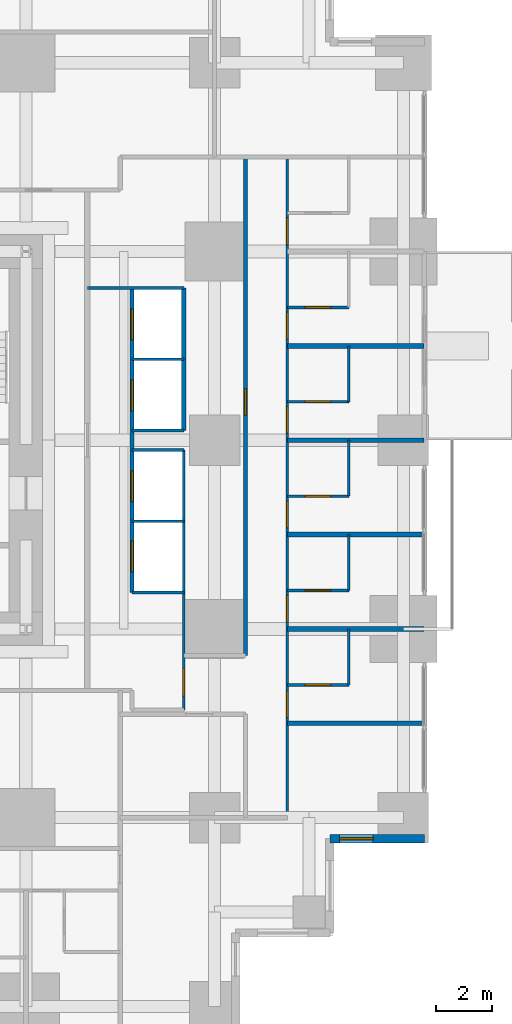
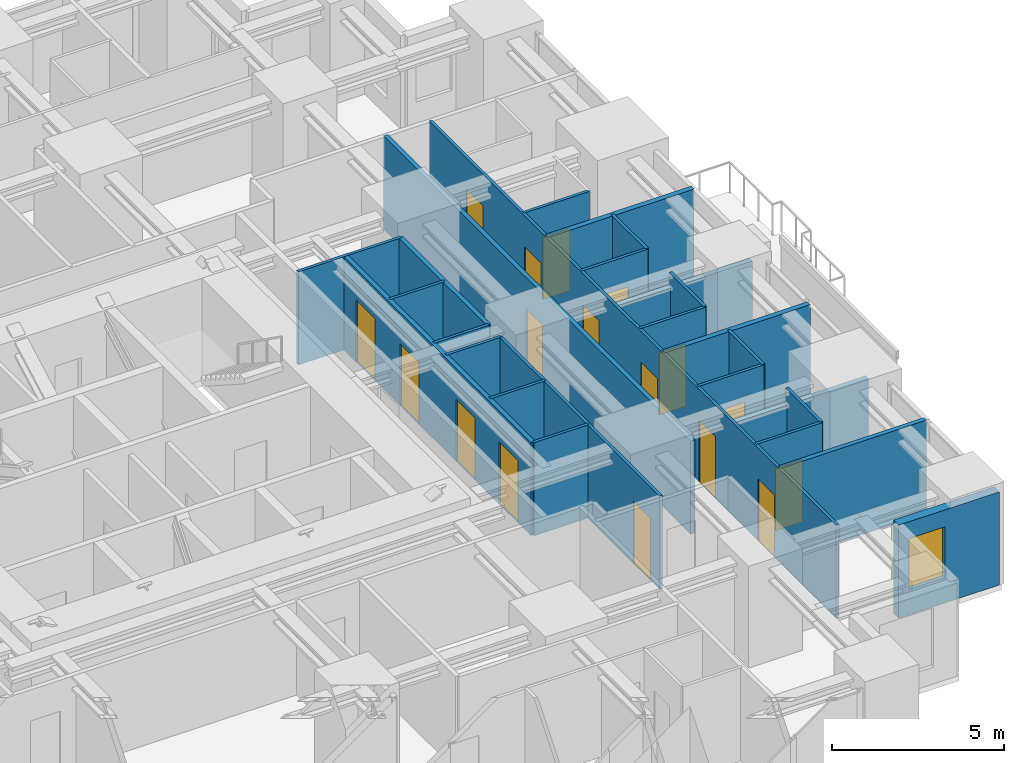
# One storey, part 11 of 15: 26 walls, 17 doors, 1 window, 18 openings.
"""IFC4 building model written with IfcOpenShell, lengths in metres."""

from ifc_helpers import new_model, si_unit, direction, frame, frame_2d, origin, place, context, subcontext, project, spatial, rectangle, extrude, material, layer, layer_set, type_object, element, fill, save


model = new_model("IFC4")

# Units and contexts
model_context = context("Model", 3, precision=1e-05, world=origin(), true_north=direction((0.0, 1.0)))
body_context = subcontext(model_context, "Body", "Model", "MODEL_VIEW")
ifc_project = project(units=[si_unit("LENGTHUNIT", "METRE"), si_unit("AREAUNIT", "SQUARE_METRE"), si_unit("VOLUMEUNIT", "CUBIC_METRE"), si_unit("PLANEANGLEUNIT", "RADIAN"), si_unit("MASSUNIT", "GRAM", prefix="KILO")], contexts=[model_context])

# Site, building, storey
site_placement = place(None, origin())
site = spatial("IfcSite", under=ifc_project, at=site_placement, CompositionType="ELEMENT")
building_placement = place(site_placement, origin())
building = spatial("IfcBuilding", under=site, at=building_placement, Name="Nyansa Garden Tower", CompositionType="ELEMENT")
storey_placement = place(building_placement, frame((0.0, 0.0, 72.0)))
storey = spatial("IfcBuildingStorey", under=building, at=storey_placement, Name="L19", CompositionType="ELEMENT", Elevation=72.0)

# Walls
ifc_material_1 = material(Name="Dense blockwork, plastered both sides, 55 dB", Category="masonry")
ifc_layer_1 = layer(ifc_material_1, 0.175048828125)
ifc_layer_set_1 = layer_set([ifc_layer_1], Name="Acoustic party wall PW175")
wall_type_1 = type_object("IfcWallType", Name="Acoustic party wall PW175", PredefinedType="PARTITIONING", material=ifc_layer_set_1)
wall_1_placement = place(storey_placement, frame((36.35009765625, 13.5, 0.0), z_axis=(0.0, 0.0, 1.0), x_axis=(1.0, 0.0, 0.0)))
element("IfcWall", 1, at=wall_1_placement, inside=storey, type_object=wall_type_1, Name="Party wall", PredefinedType="PARTITIONING", context=body_context, shape_type="SweptSolid", body=[
    extrude(rectangle(XDim=4.8837890625, YDim=0.175048828125, at=frame_2d((2.44189453125, 0.0))), origin(), (0.0, 0.0, 1.0), 2.73095703125),
])
wall_2_placement = place(storey_placement, frame((36.35009765625, 16.875, 0.0), z_axis=(0.0, 0.0, 1.0), x_axis=(1.0, 0.0, 0.0)))
element("IfcWall", 2, at=wall_2_placement, inside=storey, type_object=wall_type_1, Name="Party wall", PredefinedType="PARTITIONING", context=body_context, shape_type="SweptSolid", body=[
    extrude(rectangle(XDim=4.8837890625, YDim=0.175048828125, at=frame_2d((2.44189453125, 0.0))), origin(), (0.0, 0.0, 1.0), 3.300048828125),
])
wall_3_placement = place(storey_placement, frame((36.35009765625, 20.25, 0.0), z_axis=(0.0, 0.0, 1.0), x_axis=(1.0, 0.0, 0.0)))
element("IfcWall", 3, at=wall_3_placement, inside=storey, type_object=wall_type_1, Name="Party wall", PredefinedType="PARTITIONING", context=body_context, shape_type="SweptSolid", body=[
    extrude(rectangle(XDim=4.8837890625, YDim=0.175048828125, at=frame_2d((2.44189453125, 0.0))), origin(), (0.0, 0.0, 1.0), 2.802001953125),
])
wall_4_placement = place(storey_placement, frame((36.35009765625, 23.625, 0.0), z_axis=(0.0, 0.0, 1.0), x_axis=(1.0, 0.0, 0.0)))
element("IfcWall", 4, at=wall_4_placement, inside=storey, type_object=wall_type_1, Name="Party wall", PredefinedType="PARTITIONING", context=body_context, shape_type="SweptSolid", body=[
    extrude(rectangle(XDim=4.8837890625, YDim=0.175048828125, at=frame_2d((2.44189453125, 0.0))), origin(), (0.0, 0.0, 1.0), 3.300048828125),
])
ifc_material_2 = material(Name="Steel-stud shaft wall, two layers fire-rated board, EI 120", Category="steel")
ifc_layer_2 = layer(ifc_material_2, 0.10009765625)
ifc_layer_set_2 = layer_set([ifc_layer_2], Name="Lift shaft wall SW100")
wall_type_2 = type_object("IfcWallType", Name="Lift shaft wall SW100", PredefinedType="SHEAR", material=ifc_layer_set_2)
wall_5_placement = place(storey_placement, frame((29.199951171875, 25.699951171875, 0.0), z_axis=(0.0, 0.0, 1.0), x_axis=(1.0, 0.0, 0.0)))
element("IfcWall", 5, at=wall_5_placement, inside=storey, type_object=wall_type_2, Name="Lift shaft wall", PredefinedType="SHEAR", context=body_context, shape_type="SweptSolid", body=[
    extrude(rectangle(XDim=3.449951171875, YDim=0.10009765625, at=frame_2d((1.72509765625, 0.0))), origin(), (0.0, 0.0, 1.0), 3.300048828125),
])
for number, where, z_axis, x_axis, name in (
    (6, (30.800048828125, 14.800048828125, 0.0), (0.0, 0.0, 1.0), (1.0, 0.0, 0.0), "Lift shaft wall"),
    (7, (30.800048828125, 17.35009765625, 0.0), (0.0, 0.0, 1.0), (1.0, 0.0, 0.0), "Lift shaft wall"),
    (8, (30.800048828125, 19.89990234375, 0.0), (0.0, 0.0, 1.0), (1.0, 0.0, 0.0), "Lift shaft wall"),
    (9, (30.800048828125, 20.60009765625, 0.0), (0.0, 0.0, 1.0), (1.0, 0.0, 0.0), "Lift shaft wall"),
    (10, (30.800048828125, 23.14990234375, 0.0), (0.0, 0.0, 1.0), (1.0, 0.0, 0.0), "Lift shaft wall"),
):
    element("IfcWall", number, at=place(storey_placement, frame(where, z_axis=z_axis, x_axis=x_axis)), inside=storey, type_object=wall_type_2, Name=name, PredefinedType="SHEAR", context=body_context, shape_type="SweptSolid", body=[
        extrude(rectangle(XDim=1.849853515625, YDim=0.10009765625, at=frame_2d((0.9248046875, 0.0))), origin(), (0.0, 0.0, 1.0), 3.300048828125),
    ])

# Wall, opening, door
wall_6_placement = place(storey_placement, frame((32.64990234375, 10.60009765625, 0.0), z_axis=(0.0, 0.0, 1.0), x_axis=(0.0, 1.0, 0.0)))
wall_6 = element("IfcWall", 11, at=wall_6_placement, inside=storey, type_object=wall_type_2, Name="Lift shaft wall", PredefinedType="SHEAR", context=body_context, shape_type="SweptSolid", body=[
    extrude(rectangle(XDim=9.2998046875, YDim=0.10009765625, at=frame_2d((4.64990234375, 0.0))), origin(), (0.0, 0.0, 1.0), 3.300048828125),
])
opening_1_placement = place(wall_6_placement, frame((0.5, 0.0, 0.0)))
opening_1 = element("IfcOpeningElement", 12, at=opening_1_placement, cuts=wall_6, Name="Opening D03", PredefinedType="OPENING", context=body_context, shape_type="SweptSolid", body=[
    extrude(rectangle(XDim=1.0, YDim=2.199951171875, at=frame_2d((0.5, 1.10009765625))), frame((0.0, 0.06005859375, 0.0), z_axis=(0.0, -1.0, 0.0), x_axis=(1.0, 0.0, 0.0)), (0.0, 0.0, 1.0), 0.1201171875),
])
ifc_material_3 = material(Name="Timber flush door, 60 minute fire resisting", Category="wood")
door_type_1 = type_object("IfcDoorType", Name="Cluster entrance door D03 1000x2200", OperationType="SINGLE_SWING_LEFT", PredefinedType="DOOR", material=ifc_material_3)
door_1_placement = place(opening_1_placement, origin())
door_1 = element("IfcDoor", 13, at=door_1_placement, inside=storey, type_object=door_type_1, Name="Door L19-046", OperationType="SINGLE_SWING_LEFT", OverallHeight=2.199951171875, OverallWidth=1.0, PredefinedType="DOOR", context=body_context, shape_type="SweptSolid", body=[
    extrude(rectangle(XDim=1.0, YDim=2.199951171875, at=frame_2d((0.5, 1.10009765625))), frame((0.0, 0.02490234375, 0.0), z_axis=(0.0, -1.0, 0.0), x_axis=(1.0, 0.0, 0.0)), (0.0, 0.0, 1.0), 0.050048828125),
])
fill(opening_1, door_1)

# Wall, openings, doors
ifc_material_4 = material(Name="Blockwork, plastered both sides", Category="masonry")
ifc_layer_3 = layer(ifc_material_4, 0.14990234375)
ifc_layer_set_3 = layer_set([ifc_layer_3], Name="Partition PW150")
wall_type_3 = type_object("IfcWallType", Name="Partition PW150", PredefinedType="PARTITIONING", material=ifc_layer_set_3)
wall_7_placement = place(storey_placement, frame((30.800048828125, 14.800048828125, 0.0), z_axis=(0.0, 0.0, 1.0), x_axis=(0.0, 1.0, 0.0)))
wall_7 = element("IfcWall", 14, at=wall_7_placement, inside=storey, type_object=wall_type_3, Name="Partition", PredefinedType="PARTITIONING", context=body_context, shape_type="SweptSolid", body=[
    extrude(rectangle(XDim=10.89990234375, YDim=0.14990234375, at=frame_2d((5.449951171875, 0.0))), origin(), (0.0, 0.0, 1.0), 3.300048828125),
])
opening_2_placement = place(wall_7_placement, frame((0.75, 0.0, 0.0)))
opening_2 = element("IfcOpeningElement", 15, at=opening_2_placement, cuts=wall_7, Name="Opening LD-A", PredefinedType="OPENING", context=body_context, shape_type="SweptSolid", body=[
    extrude(rectangle(XDim=1.10009765625, YDim=2.199951171875, at=frame_2d((0.550048828125, 1.10009765625))), frame((0.0, 0.0849609375, 0.0), z_axis=(0.0, -1.0, 0.0), x_axis=(1.0, 0.0, 0.0)), (0.0, 0.0, 1.0), 0.169921875),
])
opening_3_placement = place(wall_7_placement, frame((3.25, 0.0, 0.0)))
opening_3 = element("IfcOpeningElement", 16, at=opening_3_placement, cuts=wall_7, Name="Opening LD-A", PredefinedType="OPENING", context=body_context, shape_type="SweptSolid", body=[
    extrude(rectangle(XDim=1.10009765625, YDim=2.199951171875, at=frame_2d((0.550048828125, 1.10009765625))), frame((0.0, 0.0849609375, 0.0), z_axis=(0.0, -1.0, 0.0), x_axis=(1.0, 0.0, 0.0)), (0.0, 0.0, 1.0), 0.169921875),
])
opening_4_placement = place(wall_7_placement, frame((6.5, 0.0, 0.0)))
opening_4 = element("IfcOpeningElement", 17, at=opening_4_placement, cuts=wall_7, Name="Opening LD-A", PredefinedType="OPENING", context=body_context, shape_type="SweptSolid", body=[
    extrude(rectangle(XDim=1.10009765625, YDim=2.199951171875, at=frame_2d((0.550048828125, 1.10009765625))), frame((0.0, 0.0849609375, 0.0), z_axis=(0.0, -1.0, 0.0), x_axis=(1.0, 0.0, 0.0)), (0.0, 0.0, 1.0), 0.169921875),
])
opening_5_placement = place(wall_7_placement, frame((9.050048828125, 0.0, 0.0)))
opening_5 = element("IfcOpeningElement", 18, at=opening_5_placement, cuts=wall_7, Name="Opening LD-A", PredefinedType="OPENING", context=body_context, shape_type="SweptSolid", body=[
    extrude(rectangle(XDim=1.10009765625, YDim=2.199951171875, at=frame_2d((0.550048828125, 1.10009765625))), frame((0.0, 0.0849609375, 0.0), z_axis=(0.0, -1.0, 0.0), x_axis=(1.0, 0.0, 0.0)), (0.0, 0.0, 1.0), 0.169921875),
])
ifc_material_5 = material(Name="Stainless steel centre-opening landing door of the low-rise lift, E 120", Category="steel")
door_type_2 = type_object("IfcDoorType", Name="Lift landing door LD-A 1100x2200", OperationType="DOUBLE_DOOR_SLIDING", PredefinedType="DOOR", material=ifc_material_5)
door_2_placement = place(opening_2_placement, origin())
door_2 = element("IfcDoor", 19, at=door_2_placement, inside=storey, type_object=door_type_2, Name="Landing door A1", OperationType="DOUBLE_DOOR_SLIDING", OverallHeight=2.199951171875, OverallWidth=1.10009765625, PredefinedType="DOOR", context=body_context, shape_type="SweptSolid", body=[
    extrude(rectangle(XDim=1.10009765625, YDim=2.199951171875, at=frame_2d((0.550048828125, 1.10009765625))), frame((0.0, 0.02490234375, 0.0), z_axis=(0.0, -1.0, 0.0), x_axis=(1.0, 0.0, 0.0)), (0.0, 0.0, 1.0), 0.050048828125),
])
fill(opening_2, door_2)
door_3_placement = place(opening_3_placement, origin())
door_3 = element("IfcDoor", 20, at=door_3_placement, inside=storey, type_object=door_type_2, Name="Landing door A2", OperationType="DOUBLE_DOOR_SLIDING", OverallHeight=2.199951171875, OverallWidth=1.10009765625, PredefinedType="DOOR", context=body_context, shape_type="SweptSolid", body=[
    extrude(rectangle(XDim=1.10009765625, YDim=2.199951171875, at=frame_2d((0.550048828125, 1.10009765625))), frame((0.0, 0.02490234375, 0.0), z_axis=(0.0, -1.0, 0.0), x_axis=(1.0, 0.0, 0.0)), (0.0, 0.0, 1.0), 0.050048828125),
])
fill(opening_3, door_3)
door_4_placement = place(opening_4_placement, origin())
door_4 = element("IfcDoor", 21, at=door_4_placement, inside=storey, type_object=door_type_2, Name="Landing door A3", OperationType="DOUBLE_DOOR_SLIDING", OverallHeight=2.199951171875, OverallWidth=1.10009765625, PredefinedType="DOOR", context=body_context, shape_type="SweptSolid", body=[
    extrude(rectangle(XDim=1.10009765625, YDim=2.199951171875, at=frame_2d((0.550048828125, 1.10009765625))), frame((0.0, 0.02490234375, 0.0), z_axis=(0.0, -1.0, 0.0), x_axis=(1.0, 0.0, 0.0)), (0.0, 0.0, 1.0), 0.050048828125),
])
fill(opening_4, door_4)
door_5_placement = place(opening_5_placement, origin())
door_5 = element("IfcDoor", 22, at=door_5_placement, inside=storey, type_object=door_type_2, Name="Landing door A4", OperationType="DOUBLE_DOOR_SLIDING", OverallHeight=2.199951171875, OverallWidth=1.10009765625, PredefinedType="DOOR", context=body_context, shape_type="SweptSolid", body=[
    extrude(rectangle(XDim=1.10009765625, YDim=2.199951171875, at=frame_2d((0.550048828125, 1.10009765625))), frame((0.0, 0.02490234375, 0.0), z_axis=(0.0, -1.0, 0.0), x_axis=(1.0, 0.0, 0.0)), (0.0, 0.0, 1.0), 0.050048828125),
])
fill(opening_5, door_5)

# Wall
wall_8_placement = place(storey_placement, frame((32.64990234375, 20.60009765625, 0.0), z_axis=(0.0, 0.0, 1.0), x_axis=(0.0, 1.0, 0.0)))
element("IfcWall", 23, at=wall_8_placement, inside=storey, type_object=wall_type_3, Name="Partition", PredefinedType="PARTITIONING", context=body_context, shape_type="SweptSolid", body=[
    extrude(rectangle(XDim=5.099853515625, YDim=0.14990234375, at=frame_2d((2.5498046875, 0.0))), origin(), (0.0, 0.0, 1.0), 3.300048828125),
])

# Wall, opening, door
wall_9_placement = place(storey_placement, frame((34.85009765625, 12.550048828125, 0.0), z_axis=(0.0, 0.0, 1.0), x_axis=(0.0, 1.0, 0.0)))
wall_9 = element("IfcWall", 24, at=wall_9_placement, inside=storey, type_object=wall_type_3, Name="Partition", PredefinedType="PARTITIONING", context=body_context, shape_type="SweptSolid", body=[
    extrude(rectangle(XDim=17.824951171875, YDim=0.14990234375, at=frame_2d((8.91259765625, 0.0))), origin(), (0.0, 0.0, 1.0), 3.300048828125),
])
opening_6_placement = place(wall_9_placement, frame((8.60009765625, 0.0, 0.0)))
opening_6 = element("IfcOpeningElement", 25, at=opening_6_placement, cuts=wall_9, Name="Opening D01", PredefinedType="OPENING", context=body_context, shape_type="SweptSolid", body=[
    extrude(rectangle(XDim=0.949951171875, YDim=2.199951171875, at=frame_2d((0.47509765625, 1.10009765625))), frame((0.0, 0.0849609375, 0.0), z_axis=(0.0, -1.0, 0.0), x_axis=(1.0, 0.0, 0.0)), (0.0, 0.0, 1.0), 0.169921875),
])
ifc_material_6 = material(Name="Timber flush door, 30 minute fire resisting", Category="wood")
door_type_3 = type_object("IfcDoorType", Name="Bedroom door D01 950x2200", OperationType="SINGLE_SWING_LEFT", PredefinedType="DOOR", material=ifc_material_6)
door_6_placement = place(opening_6_placement, origin())
door_6 = element("IfcDoor", 26, at=door_6_placement, inside=storey, type_object=door_type_3, Name="Door L19-047", OperationType="SINGLE_SWING_LEFT", OverallHeight=2.199951171875, OverallWidth=0.949951171875, PredefinedType="DOOR", context=body_context, shape_type="SweptSolid", body=[
    extrude(rectangle(XDim=0.949951171875, YDim=2.199951171875, at=frame_2d((0.47509765625, 1.10009765625))), frame((0.0, 0.02490234375, 0.0), z_axis=(0.0, -1.0, 0.0), x_axis=(1.0, 0.0, 0.0)), (0.0, 0.0, 1.0), 0.050048828125),
])
fill(opening_6, door_6)

# Wall
wall_10_placement = place(storey_placement, frame((36.35009765625, 10.125, 0.0), z_axis=(0.0, 0.0, 1.0), x_axis=(1.0, 0.0, 0.0)))
element("IfcWall", 27, at=wall_10_placement, inside=storey, type_object=wall_type_3, Name="Partition", PredefinedType="PARTITIONING", context=body_context, shape_type="SweptSolid", body=[
    extrude(rectangle(XDim=4.8837890625, YDim=0.14990234375, at=frame_2d((2.44189453125, 0.0))), origin(), (0.0, 0.0, 1.0), 3.300048828125),
])

# Wall, opening, window
ifc_material_7 = material(Name="Turquoise glazed tile on concrete blockwork", Category="masonry")
ifc_layer_4 = layer(ifc_material_7, 0.300048828125)
ifc_layer_set_4 = layer_set([ifc_layer_4], Name="Tiled corner wall TW300")
wall_type_4 = type_object("IfcWallType", Name="Tiled corner wall TW300", PredefinedType="SOLIDWALL", material=ifc_layer_set_4)
wall_11_placement = place(storey_placement, frame((37.875, 6.0, 0.0), z_axis=(0.0, 0.0, 1.0), x_axis=(1.0, 0.0, 0.0)))
wall_11 = element("IfcWall", 28, at=wall_11_placement, inside=storey, type_object=wall_type_4, Name="Tiled corner wall L19", PredefinedType="SOLIDWALL", context=body_context, shape_type="SweptSolid", body=[
    extrude(rectangle(XDim=3.375, YDim=0.300048828125, at=frame_2d((1.6875, 0.0))), origin(), (0.0, 0.0, 1.0), 3.300048828125),
])
opening_7_placement = place(wall_11_placement, frame((0.342529296875, 0.0, 0.89990234375)))
opening_7 = element("IfcOpeningElement", 29, at=opening_7_placement, cuts=wall_11, Name="Opening W4", PredefinedType="OPENING", context=body_context, shape_type="SweptSolid", body=[
    extrude(rectangle(XDim=1.199951171875, YDim=1.800048828125, at=frame_2d((0.60009765625, 0.89990234375))), frame((0.0, 0.159912109375, 0.0), z_axis=(0.0, -1.0, 0.0), x_axis=(1.0, 0.0, 0.0)), (0.0, 0.0, 1.0), 0.320068359375),
])
ifc_material_8 = material(Name="Black aluminium frame, dark tinted double glazing", Category="aluminium")
window_type = type_object("IfcWindowType", Name="Window W4 1200x1800", PartitioningType="SINGLE_PANEL", PredefinedType="WINDOW", material=ifc_material_8)
window_placement = place(opening_7_placement, origin())
window = element("IfcWindow", 30, at=window_placement, inside=storey, type_object=window_type, Name="Corner window L19", OverallHeight=1.800048828125, OverallWidth=1.199951171875, PartitioningType="SINGLE_PANEL", PredefinedType="WINDOW", context=body_context, shape_type="SweptSolid", body=[
    extrude(rectangle(XDim=1.199951171875, YDim=1.800048828125, at=frame_2d((0.60009765625, 0.89990234375))), frame((0.0, 0.030029296875, 0.0), z_axis=(0.0, -1.0, 0.0), x_axis=(1.0, 0.0, 0.0)), (0.0, 0.0, 1.0), 0.06005859375),
])
fill(opening_7, window)

# Wall, openings, doors
ifc_material_9 = material(Name="Moisture resistant board on steel studs, tiled", Category="steel")
ifc_layer_5 = layer(ifc_material_9, 0.10009765625)
ifc_layer_set_5 = layer_set([ifc_layer_5], Name="Wet wall PW100")
wall_type_5 = type_object("IfcWallType", Name="Wet wall PW100", PredefinedType="PARTITIONING", material=ifc_layer_set_5)
wall_12_placement = place(storey_placement, frame((36.35009765625, 6.75, 0.0), z_axis=(0.0, 0.0, 1.0), x_axis=(0.0, 1.0, 0.0)))
wall_12 = element("IfcWall", 31, at=wall_12_placement, inside=storey, type_object=wall_type_5, Name="Wet wall", PredefinedType="PARTITIONING", context=body_context, shape_type="SweptSolid", body=[
    extrude(rectangle(XDim=23.625, YDim=0.10009765625, at=frame_2d((11.8125, 0.0))), origin(), (0.0, 0.0, 1.0), 3.300048828125),
])
opening_8_placement = place(wall_12_placement, frame((3.574951171875, 0.0, 0.0)))
opening_8 = element("IfcOpeningElement", 32, at=opening_8_placement, cuts=wall_12, Name="Opening D14", PredefinedType="OPENING", context=body_context, shape_type="SweptSolid", body=[
    extrude(rectangle(XDim=0.949951171875, YDim=2.199951171875, at=frame_2d((0.47509765625, 1.10009765625))), frame((0.0, 0.06005859375, 0.0), z_axis=(0.0, -1.0, 0.0), x_axis=(1.0, 0.0, 0.0)), (0.0, 0.0, 1.0), 0.1201171875),
])
opening_9_placement = place(wall_12_placement, frame((7.0, 0.0, 0.0)))
opening_9 = element("IfcOpeningElement", 33, at=opening_9_placement, cuts=wall_12, Name="Opening D14", PredefinedType="OPENING", context=body_context, shape_type="SweptSolid", body=[
    extrude(rectangle(XDim=0.949951171875, YDim=2.199951171875, at=frame_2d((0.47509765625, 1.10009765625))), frame((0.0, 0.06005859375, 0.0), z_axis=(0.0, -1.0, 0.0), x_axis=(1.0, 0.0, 0.0)), (0.0, 0.0, 1.0), 0.1201171875),
])
opening_10_placement = place(wall_12_placement, frame((10.375, 0.0, 0.0)))
opening_10 = element("IfcOpeningElement", 34, at=opening_10_placement, cuts=wall_12, Name="Opening D14", PredefinedType="OPENING", context=body_context, shape_type="SweptSolid", body=[
    extrude(rectangle(XDim=0.949951171875, YDim=2.199951171875, at=frame_2d((0.47509765625, 1.10009765625))), frame((0.0, 0.06005859375, 0.0), z_axis=(0.0, -1.0, 0.0), x_axis=(1.0, 0.0, 0.0)), (0.0, 0.0, 1.0), 0.1201171875),
])
opening_11_placement = place(wall_12_placement, frame((13.75, 0.0, 0.0)))
opening_11 = element("IfcOpeningElement", 35, at=opening_11_placement, cuts=wall_12, Name="Opening D14", PredefinedType="OPENING", context=body_context, shape_type="SweptSolid", body=[
    extrude(rectangle(XDim=0.949951171875, YDim=2.199951171875, at=frame_2d((0.47509765625, 1.10009765625))), frame((0.0, 0.06005859375, 0.0), z_axis=(0.0, -1.0, 0.0), x_axis=(1.0, 0.0, 0.0)), (0.0, 0.0, 1.0), 0.1201171875),
])
opening_12_placement = place(wall_12_placement, frame((17.125, 0.0, 0.0)))
opening_12 = element("IfcOpeningElement", 36, at=opening_12_placement, cuts=wall_12, Name="Opening D14", PredefinedType="OPENING", context=body_context, shape_type="SweptSolid", body=[
    extrude(rectangle(XDim=0.949951171875, YDim=2.199951171875, at=frame_2d((0.47509765625, 1.10009765625))), frame((0.0, 0.06005859375, 0.0), z_axis=(0.0, -1.0, 0.0), x_axis=(1.0, 0.0, 0.0)), (0.0, 0.0, 1.0), 0.1201171875),
])
opening_13_placement = place(wall_12_placement, frame((20.5, 0.0, 0.0)))
opening_13 = element("IfcOpeningElement", 37, at=opening_13_placement, cuts=wall_12, Name="Opening D14", PredefinedType="OPENING", context=body_context, shape_type="SweptSolid", body=[
    extrude(rectangle(XDim=0.949951171875, YDim=2.199951171875, at=frame_2d((0.47509765625, 1.10009765625))), frame((0.0, 0.06005859375, 0.0), z_axis=(0.0, -1.0, 0.0), x_axis=(1.0, 0.0, 0.0)), (0.0, 0.0, 1.0), 0.1201171875),
])
ifc_material_10 = material(Name="Timber flush door, 60 minute fire resisting, self-closing", Category="wood")
door_type_4 = type_object("IfcDoorType", Name="Studio entrance door D14 950x2200", OperationType="SINGLE_SWING_LEFT", PredefinedType="DOOR", material=ifc_material_10)
door_7_placement = place(opening_8_placement, origin())
door_7 = element("IfcDoor", 38, at=door_7_placement, inside=storey, type_object=door_type_4, Name="Door L19-034", OperationType="SINGLE_SWING_LEFT", OverallHeight=2.199951171875, OverallWidth=0.949951171875, PredefinedType="DOOR", context=body_context, shape_type="SweptSolid", body=[
    extrude(rectangle(XDim=0.949951171875, YDim=2.199951171875, at=frame_2d((0.47509765625, 1.10009765625))), frame((0.0, 0.02490234375, 0.0), z_axis=(0.0, -1.0, 0.0), x_axis=(1.0, 0.0, 0.0)), (0.0, 0.0, 1.0), 0.050048828125),
])
fill(opening_8, door_7)
door_8_placement = place(opening_9_placement, origin())
door_8 = element("IfcDoor", 39, at=door_8_placement, inside=storey, type_object=door_type_4, Name="Door L19-036", OperationType="SINGLE_SWING_LEFT", OverallHeight=2.199951171875, OverallWidth=0.949951171875, PredefinedType="DOOR", context=body_context, shape_type="SweptSolid", body=[
    extrude(rectangle(XDim=0.949951171875, YDim=2.199951171875, at=frame_2d((0.47509765625, 1.10009765625))), frame((0.0, 0.02490234375, 0.0), z_axis=(0.0, -1.0, 0.0), x_axis=(1.0, 0.0, 0.0)), (0.0, 0.0, 1.0), 0.050048828125),
])
fill(opening_9, door_8)
door_9_placement = place(opening_10_placement, origin())
door_9 = element("IfcDoor", 40, at=door_9_placement, inside=storey, type_object=door_type_4, Name="Door L19-038", OperationType="SINGLE_SWING_LEFT", OverallHeight=2.199951171875, OverallWidth=0.949951171875, PredefinedType="DOOR", context=body_context, shape_type="SweptSolid", body=[
    extrude(rectangle(XDim=0.949951171875, YDim=2.199951171875, at=frame_2d((0.47509765625, 1.10009765625))), frame((0.0, 0.02490234375, 0.0), z_axis=(0.0, -1.0, 0.0), x_axis=(1.0, 0.0, 0.0)), (0.0, 0.0, 1.0), 0.050048828125),
])
fill(opening_10, door_9)
door_10_placement = place(opening_11_placement, origin())
door_10 = element("IfcDoor", 41, at=door_10_placement, inside=storey, type_object=door_type_4, Name="Door L19-040", OperationType="SINGLE_SWING_LEFT", OverallHeight=2.199951171875, OverallWidth=0.949951171875, PredefinedType="DOOR", context=body_context, shape_type="SweptSolid", body=[
    extrude(rectangle(XDim=0.949951171875, YDim=2.199951171875, at=frame_2d((0.47509765625, 1.10009765625))), frame((0.0, 0.02490234375, 0.0), z_axis=(0.0, -1.0, 0.0), x_axis=(1.0, 0.0, 0.0)), (0.0, 0.0, 1.0), 0.050048828125),
])
fill(opening_11, door_10)
door_11_placement = place(opening_12_placement, origin())
door_11 = element("IfcDoor", 42, at=door_11_placement, inside=storey, type_object=door_type_4, Name="Door L19-042", OperationType="SINGLE_SWING_LEFT", OverallHeight=2.199951171875, OverallWidth=0.949951171875, PredefinedType="DOOR", context=body_context, shape_type="SweptSolid", body=[
    extrude(rectangle(XDim=0.949951171875, YDim=2.199951171875, at=frame_2d((0.47509765625, 1.10009765625))), frame((0.0, 0.02490234375, 0.0), z_axis=(0.0, -1.0, 0.0), x_axis=(1.0, 0.0, 0.0)), (0.0, 0.0, 1.0), 0.050048828125),
])
fill(opening_12, door_11)
door_12_placement = place(opening_13_placement, origin())
door_12 = element("IfcDoor", 43, at=door_12_placement, inside=storey, type_object=door_type_4, Name="Door L19-044", OperationType="SINGLE_SWING_LEFT", OverallHeight=2.199951171875, OverallWidth=0.949951171875, PredefinedType="DOOR", context=body_context, shape_type="SweptSolid", body=[
    extrude(rectangle(XDim=0.949951171875, YDim=2.199951171875, at=frame_2d((0.47509765625, 1.10009765625))), frame((0.0, 0.02490234375, 0.0), z_axis=(0.0, -1.0, 0.0), x_axis=(1.0, 0.0, 0.0)), (0.0, 0.0, 1.0), 0.050048828125),
])
fill(opening_13, door_12)

# Wall, opening, door
wall_13_placement = place(storey_placement, frame((36.35009765625, 11.5, 0.0), z_axis=(0.0, 0.0, 1.0), x_axis=(1.0, 0.0, 0.0)))
wall_13 = element("IfcWall", 44, at=wall_13_placement, inside=storey, type_object=wall_type_5, Name="Wet wall", PredefinedType="PARTITIONING", context=body_context, shape_type="SweptSolid", body=[
    extrude(rectangle(XDim=2.199951171875, YDim=0.10009765625, at=frame_2d((1.10009765625, 0.0))), origin(), (0.0, 0.0, 1.0), 3.300048828125),
])
opening_14_placement = place(wall_13_placement, frame((0.64990234375, 0.0, 0.0)))
opening_14 = element("IfcOpeningElement", 45, at=opening_14_placement, cuts=wall_13, Name="Opening D02", PredefinedType="OPENING", context=body_context, shape_type="SweptSolid", body=[
    extrude(rectangle(XDim=0.89990234375, YDim=2.199951171875, at=frame_2d((0.449951171875, 1.10009765625))), frame((0.0, 0.06005859375, 0.0), z_axis=(0.0, -1.0, 0.0), x_axis=(1.0, 0.0, 0.0)), (0.0, 0.0, 1.0), 0.1201171875),
])
ifc_material_11 = material(Name="Timber flush door", Category="wood")
door_type_5 = type_object("IfcDoorType", Name="En-suite door D02 900x2200", OperationType="SINGLE_SWING_RIGHT", PredefinedType="DOOR", material=ifc_material_11)
door_13_placement = place(opening_14_placement, origin())
door_13 = element("IfcDoor", 46, at=door_13_placement, inside=storey, type_object=door_type_5, Name="Door L19-035", OperationType="SINGLE_SWING_RIGHT", OverallHeight=2.199951171875, OverallWidth=0.89990234375, PredefinedType="DOOR", context=body_context, shape_type="SweptSolid", body=[
    extrude(rectangle(XDim=0.89990234375, YDim=2.199951171875, at=frame_2d((0.449951171875, 1.10009765625))), frame((0.0, 0.02490234375, 0.0), z_axis=(0.0, -1.0, 0.0), x_axis=(1.0, 0.0, 0.0)), (0.0, 0.0, 1.0), 0.050048828125),
])
fill(opening_14, door_13)

wall_14_placement = place(storey_placement, frame((36.35009765625, 14.875, 0.0), z_axis=(0.0, 0.0, 1.0), x_axis=(1.0, 0.0, 0.0)))
wall_14 = element("IfcWall", 47, at=wall_14_placement, inside=storey, type_object=wall_type_5, Name="Wet wall", PredefinedType="PARTITIONING", context=body_context, shape_type="SweptSolid", body=[
    extrude(rectangle(XDim=2.199951171875, YDim=0.10009765625, at=frame_2d((1.10009765625, 0.0))), origin(), (0.0, 0.0, 1.0), 3.300048828125),
])
opening_15_placement = place(wall_14_placement, frame((0.64990234375, 0.0, 0.0)))
opening_15 = element("IfcOpeningElement", 48, at=opening_15_placement, cuts=wall_14, Name="Opening D02", PredefinedType="OPENING", context=body_context, shape_type="SweptSolid", body=[
    extrude(rectangle(XDim=0.89990234375, YDim=2.199951171875, at=frame_2d((0.449951171875, 1.10009765625))), frame((0.0, 0.06005859375, 0.0), z_axis=(0.0, -1.0, 0.0), x_axis=(1.0, 0.0, 0.0)), (0.0, 0.0, 1.0), 0.1201171875),
])
door_14_placement = place(opening_15_placement, origin())
door_14 = element("IfcDoor", 49, at=door_14_placement, inside=storey, type_object=door_type_5, Name="Door L19-037", OperationType="SINGLE_SWING_RIGHT", OverallHeight=2.199951171875, OverallWidth=0.89990234375, PredefinedType="DOOR", context=body_context, shape_type="SweptSolid", body=[
    extrude(rectangle(XDim=0.89990234375, YDim=2.199951171875, at=frame_2d((0.449951171875, 1.10009765625))), frame((0.0, 0.02490234375, 0.0), z_axis=(0.0, -1.0, 0.0), x_axis=(1.0, 0.0, 0.0)), (0.0, 0.0, 1.0), 0.050048828125),
])
fill(opening_15, door_14)

wall_15_placement = place(storey_placement, frame((36.35009765625, 18.25, 0.0), z_axis=(0.0, 0.0, 1.0), x_axis=(1.0, 0.0, 0.0)))
wall_15 = element("IfcWall", 50, at=wall_15_placement, inside=storey, type_object=wall_type_5, Name="Wet wall", PredefinedType="PARTITIONING", context=body_context, shape_type="SweptSolid", body=[
    extrude(rectangle(XDim=2.199951171875, YDim=0.10009765625, at=frame_2d((1.10009765625, 0.0))), origin(), (0.0, 0.0, 1.0), 3.300048828125),
])
opening_16_placement = place(wall_15_placement, frame((0.64990234375, 0.0, 0.0)))
opening_16 = element("IfcOpeningElement", 51, at=opening_16_placement, cuts=wall_15, Name="Opening D02", PredefinedType="OPENING", context=body_context, shape_type="SweptSolid", body=[
    extrude(rectangle(XDim=0.89990234375, YDim=2.199951171875, at=frame_2d((0.449951171875, 1.10009765625))), frame((0.0, 0.06005859375, 0.0), z_axis=(0.0, -1.0, 0.0), x_axis=(1.0, 0.0, 0.0)), (0.0, 0.0, 1.0), 0.1201171875),
])
door_15_placement = place(opening_16_placement, origin())
door_15 = element("IfcDoor", 52, at=door_15_placement, inside=storey, type_object=door_type_5, Name="Door L19-039", OperationType="SINGLE_SWING_RIGHT", OverallHeight=2.199951171875, OverallWidth=0.89990234375, PredefinedType="DOOR", context=body_context, shape_type="SweptSolid", body=[
    extrude(rectangle(XDim=0.89990234375, YDim=2.199951171875, at=frame_2d((0.449951171875, 1.10009765625))), frame((0.0, 0.02490234375, 0.0), z_axis=(0.0, -1.0, 0.0), x_axis=(1.0, 0.0, 0.0)), (0.0, 0.0, 1.0), 0.050048828125),
])
fill(opening_16, door_15)

wall_16_placement = place(storey_placement, frame((36.35009765625, 21.625, 0.0), z_axis=(0.0, 0.0, 1.0), x_axis=(1.0, 0.0, 0.0)))
wall_16 = element("IfcWall", 53, at=wall_16_placement, inside=storey, type_object=wall_type_5, Name="Wet wall", PredefinedType="PARTITIONING", context=body_context, shape_type="SweptSolid", body=[
    extrude(rectangle(XDim=2.199951171875, YDim=0.10009765625, at=frame_2d((1.10009765625, 0.0))), origin(), (0.0, 0.0, 1.0), 3.300048828125),
])
opening_17_placement = place(wall_16_placement, frame((0.64990234375, 0.0, 0.0)))
opening_17 = element("IfcOpeningElement", 54, at=opening_17_placement, cuts=wall_16, Name="Opening D02", PredefinedType="OPENING", context=body_context, shape_type="SweptSolid", body=[
    extrude(rectangle(XDim=0.89990234375, YDim=2.199951171875, at=frame_2d((0.449951171875, 1.10009765625))), frame((0.0, 0.06005859375, 0.0), z_axis=(0.0, -1.0, 0.0), x_axis=(1.0, 0.0, 0.0)), (0.0, 0.0, 1.0), 0.1201171875),
])
door_16_placement = place(opening_17_placement, origin())
door_16 = element("IfcDoor", 55, at=door_16_placement, inside=storey, type_object=door_type_5, Name="Door L19-041", OperationType="SINGLE_SWING_RIGHT", OverallHeight=2.199951171875, OverallWidth=0.89990234375, PredefinedType="DOOR", context=body_context, shape_type="SweptSolid", body=[
    extrude(rectangle(XDim=0.89990234375, YDim=2.199951171875, at=frame_2d((0.449951171875, 1.10009765625))), frame((0.0, 0.02490234375, 0.0), z_axis=(0.0, -1.0, 0.0), x_axis=(1.0, 0.0, 0.0)), (0.0, 0.0, 1.0), 0.050048828125),
])
fill(opening_17, door_16)

wall_17_placement = place(storey_placement, frame((36.35009765625, 25.0, 0.0), z_axis=(0.0, 0.0, 1.0), x_axis=(1.0, 0.0, 0.0)))
wall_17 = element("IfcWall", 56, at=wall_17_placement, inside=storey, type_object=wall_type_5, Name="Wet wall", PredefinedType="PARTITIONING", context=body_context, shape_type="SweptSolid", body=[
    extrude(rectangle(XDim=2.199951171875, YDim=0.10009765625, at=frame_2d((1.10009765625, 0.0))), origin(), (0.0, 0.0, 1.0), 3.300048828125),
])
opening_18_placement = place(wall_17_placement, frame((0.64990234375, 0.0, 0.0)))
opening_18 = element("IfcOpeningElement", 57, at=opening_18_placement, cuts=wall_17, Name="Opening D02", PredefinedType="OPENING", context=body_context, shape_type="SweptSolid", body=[
    extrude(rectangle(XDim=0.89990234375, YDim=2.199951171875, at=frame_2d((0.449951171875, 1.10009765625))), frame((0.0, 0.06005859375, 0.0), z_axis=(0.0, -1.0, 0.0), x_axis=(1.0, 0.0, 0.0)), (0.0, 0.0, 1.0), 0.1201171875),
])
door_17_placement = place(opening_18_placement, origin())
door_17 = element("IfcDoor", 58, at=door_17_placement, inside=storey, type_object=door_type_5, Name="Door L19-043", OperationType="SINGLE_SWING_RIGHT", OverallHeight=2.199951171875, OverallWidth=0.89990234375, PredefinedType="DOOR", context=body_context, shape_type="SweptSolid", body=[
    extrude(rectangle(XDim=0.89990234375, YDim=2.199951171875, at=frame_2d((0.449951171875, 1.10009765625))), frame((0.0, 0.02490234375, 0.0), z_axis=(0.0, -1.0, 0.0), x_axis=(1.0, 0.0, 0.0)), (0.0, 0.0, 1.0), 0.050048828125),
])
fill(opening_18, door_17)

# Walls
for number, where, z_axis, x_axis, name in (
    (59, (38.550048828125, 11.5, 0.0), (0.0, 0.0, 1.0), (0.0, 1.0, 0.0), "Wet wall"),
    (60, (38.550048828125, 14.875, 0.0), (0.0, 0.0, 1.0), (0.0, 1.0, 0.0), "Wet wall"),
    (61, (38.550048828125, 18.25, 0.0), (0.0, 0.0, 1.0), (0.0, 1.0, 0.0), "Wet wall"),
    (62, (38.550048828125, 21.625, 0.0), (0.0, 0.0, 1.0), (0.0, 1.0, 0.0), "Wet wall"),
):
    element("IfcWall", number, at=place(storey_placement, frame(where, z_axis=z_axis, x_axis=x_axis)), inside=storey, type_object=wall_type_5, Name=name, PredefinedType="PARTITIONING", context=body_context, shape_type="SweptSolid", body=[
        extrude(rectangle(XDim=2.0, YDim=0.10009765625, at=frame_2d((1.0, 0.0))), origin(), (0.0, 0.0, 1.0), 3.300048828125),
    ])

save(model, "model.ifc")
